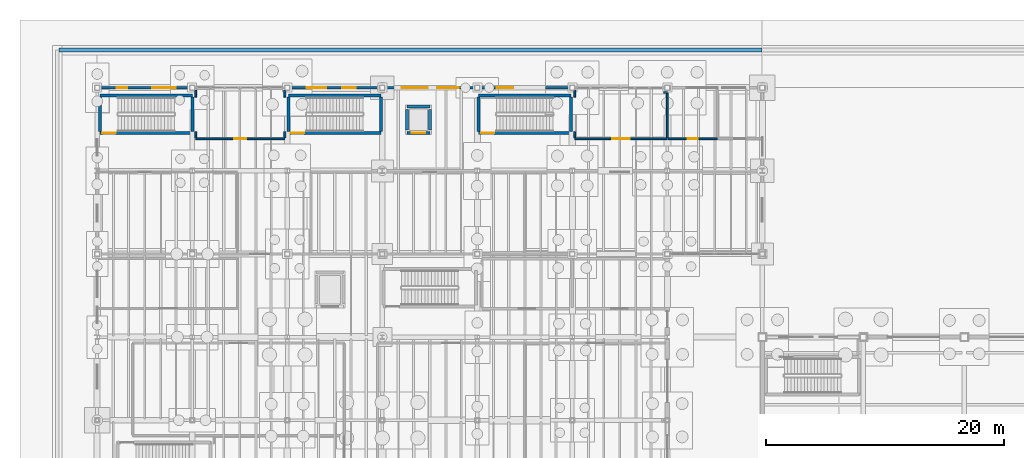
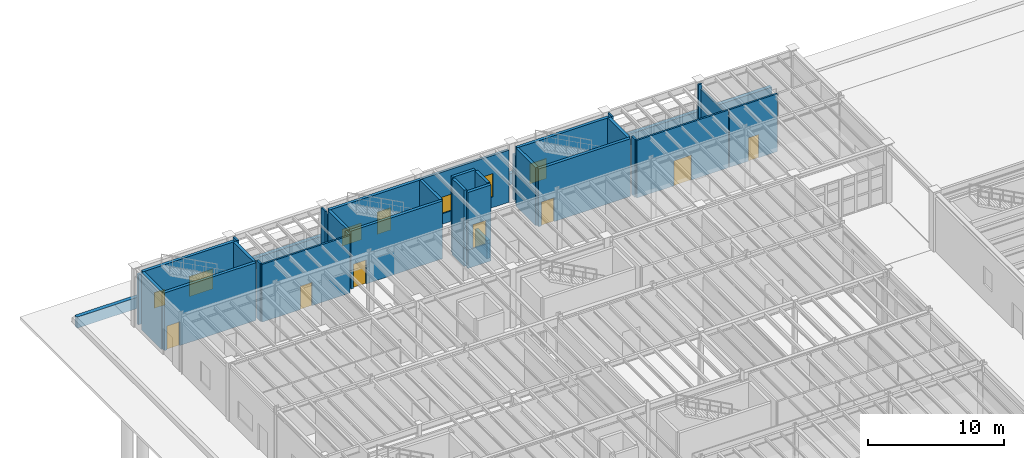
# One storey, part 65 of 86: 36 walls, 7 doors, 7 windows, 14 openings.
"""IFC4 building model written with IfcOpenShell, lengths in metres."""

from ifc_helpers import new_model, si_unit, direction, frame, frame_2d, origin, place, context, subcontext, project, spatial, rectangle, extrude, material, layer, layer_set, type_object, element, fill, save


model = new_model("IFC4")

# Units and contexts
model_context = context("Model", 3, precision=1e-05, world=origin(), true_north=direction((0.0, 1.0)))
body_context = subcontext(model_context, "Body", "Model", "MODEL_VIEW")
ifc_project = project(units=[si_unit("LENGTHUNIT", "METRE"), si_unit("AREAUNIT", "SQUARE_METRE"), si_unit("VOLUMEUNIT", "CUBIC_METRE"), si_unit("PLANEANGLEUNIT", "RADIAN"), si_unit("MASSUNIT", "GRAM", prefix="KILO"), si_unit("THERMODYNAMICTEMPERATUREUNIT", "KELVIN"), si_unit("POWERUNIT", "WATT")], contexts=[model_context])

# Site, building, storey
site_placement = place(None, origin())
site = spatial("IfcSite", under=ifc_project, at=site_placement, CompositionType="ELEMENT")
building_placement = place(site_placement, origin())
building = spatial("IfcBuilding", under=site, at=building_placement, Name="Zhenchuan Central Fire Station", CompositionType="ELEMENT")
storey_placement = place(building_placement, frame((0.0, 0.0, 0.449951171875)))
storey = spatial("IfcBuildingStorey", under=building, at=storey_placement, Name="L01", CompositionType="ELEMENT", Elevation=0.449951171875)

# Wall
ifc_material_1 = material(Name="Concrete C35/45", Category="concrete")
ifc_layer_1 = layer(ifc_material_1, 0.320068359375, Name="Concrete C35/45", Category="concrete")
ifc_layer_set_1 = layer_set([ifc_layer_1], Name="Concrete C35/45")
wall_type_1 = type_object("IfcWallType", Name="EW-PLN320", PredefinedType="SOLIDWALL", material=ifc_layer_set_1)
wall_1_placement = place(storey_placement, frame((-3.199951171875, 59.662109375, -1.0), z_axis=(0.0, 0.0, 1.0), x_axis=(1.0, 0.0, 0.0)))
element("IfcWall", 1, at=wall_1_placement, inside=storey, type_object=wall_type_1, Name="Plinth Perimeter Retaining Stem Wall NORTH-W", PredefinedType="SOLIDWALL", context=body_context, shape_type="SweptSolid", body=[
    extrude(rectangle(XDim=59.175048828125, YDim=0.320068359375, at=frame_2d((29.58740234375, 0.0))), origin(), (0.0, 0.0, 1.0), 1.0),
])

# Wall, openings, windows
ifc_material_2 = material(Name="Precast concrete C40/50", Category="concrete")
ifc_layer_2 = layer(ifc_material_2, 0.219970703125, Name="Precast concrete C40/50", Category="concrete")
ifc_layer_set_2 = layer_set([ifc_layer_2], Name="Precast concrete C40/50")
wall_type_2 = type_object("IfcWallType", Name="EW-PRC220", PredefinedType="SOLIDWALL", material=ifc_layer_set_2)
wall_2_placement = place(storey_placement, frame((0.22509765625, 56.5, 0.0), z_axis=(0.0, 0.0, 1.0), x_axis=(1.0, 0.0, 0.0)))
wall_2 = element("IfcWall", 2, at=wall_2_placement, inside=storey, type_object=wall_type_2, Name="EW-L01-V3N-0", PredefinedType="SOLIDWALL", context=body_context, shape_type="SweptSolid", body=[
    extrude(rectangle(XDim=7.5498046875, YDim=0.219970703125, at=frame_2d((3.77490234375, 0.0))), origin(), (0.0, 0.0, 1.0), 4.494140625),
])
opening_1_placement = place(wall_2_placement, frame((1.39990234375, 0.0, 0.949951171875)))
opening_1 = element("IfcOpeningElement", 3, at=opening_1_placement, cuts=wall_2, Name="Opening W-11", PredefinedType="OPENING", context=body_context, shape_type="SweptSolid", body=[
    extrude(rectangle(XDim=0.89990234375, YDim=1.39990234375, at=frame_2d((0.449951171875, 0.699951171875))), frame((0.0, 0.119873046875, 0.0), z_axis=(0.0, -1.0, 0.0), x_axis=(1.0, 0.0, 0.0)), (0.0, 0.0, 1.0), 0.239990234375),
])
opening_2_placement = place(wall_2_placement, frame((4.39990234375, 0.0, 0.949951171875)))
opening_2 = element("IfcOpeningElement", 4, at=opening_2_placement, cuts=wall_2, Name="Opening W-26", PredefinedType="OPENING", context=body_context, shape_type="SweptSolid", body=[
    extrude(rectangle(XDim=2.0, YDim=1.800048828125, at=frame_2d((1.0, 0.89990234375))), frame((0.0, 0.119873046875, 0.0), z_axis=(0.0, -1.0, 0.0), x_axis=(1.0, 0.0, 0.0)), (0.0, 0.0, 1.0), 0.239990234375),
])
ifc_material_3 = material(Name="Laminated low-E double glazing in aluminium frame", Category="aluminium")
window_type_1 = type_object("IfcWindowType", Name="WN-11", PartitioningType="SINGLE_PANEL", PredefinedType="WINDOW", material=ifc_material_3)
window_1_placement = place(opening_1_placement, origin())
window_1 = element("IfcWindow", 5, at=window_1_placement, inside=storey, type_object=window_type_1, Name="Exterior Window 0053", OverallHeight=1.39990234375, OverallWidth=0.89990234375, PartitioningType="SINGLE_PANEL", PredefinedType="WINDOW", context=body_context, shape_type="SweptSolid", body=[
    extrude(rectangle(XDim=0.89990234375, YDim=1.39990234375, at=frame_2d((0.449951171875, 0.699951171875))), frame((0.0, 0.030029296875, 0.0), z_axis=(0.0, -1.0, 0.0), x_axis=(1.0, 0.0, 0.0)), (0.0, 0.0, 1.0), 0.06005859375),
])
fill(opening_1, window_1)
window_type_2 = type_object("IfcWindowType", Name="WN-26", PartitioningType="SINGLE_PANEL", PredefinedType="WINDOW", material=ifc_material_3)
window_2_placement = place(opening_2_placement, origin())
window_2 = element("IfcWindow", 6, at=window_2_placement, inside=storey, type_object=window_type_2, Name="Exterior Window 0054", OverallHeight=1.800048828125, OverallWidth=2.0, PartitioningType="SINGLE_PANEL", PredefinedType="WINDOW", context=body_context, shape_type="SweptSolid", body=[
    extrude(rectangle(XDim=2.0, YDim=1.800048828125, at=frame_2d((1.0, 0.89990234375))), frame((0.0, 0.030029296875, 0.0), z_axis=(0.0, -1.0, 0.0), x_axis=(1.0, 0.0, 0.0)), (0.0, 0.0, 1.0), 0.06005859375),
])
fill(opening_2, window_2)

wall_3_placement = place(storey_placement, frame((16.22509765625, 56.5, 0.0), z_axis=(0.0, 0.0, 1.0), x_axis=(1.0, 0.0, 0.0)))
wall_3 = element("IfcWall", 7, at=wall_3_placement, inside=storey, type_object=wall_type_2, Name="EW-L01-V3N-2", PredefinedType="SOLIDWALL", context=body_context, shape_type="SweptSolid", body=[
    extrude(rectangle(XDim=7.5498046875, YDim=0.219970703125, at=frame_2d((3.77490234375, 0.0))), origin(), (0.0, 0.0, 1.0), 4.39404296875),
])
opening_3_placement = place(wall_3_placement, frame((1.39990234375, 0.0, 0.949951171875)))
opening_3 = element("IfcOpeningElement", 8, at=opening_3_placement, cuts=wall_3, Name="Opening W-17", PredefinedType="OPENING", context=body_context, shape_type="SweptSolid", body=[
    extrude(rectangle(XDim=1.64990234375, YDim=1.5, at=frame_2d((0.824951171875, 0.75))), frame((0.0, 0.119873046875, 0.0), z_axis=(0.0, -1.0, 0.0), x_axis=(1.0, 0.0, 0.0)), (0.0, 0.0, 1.0), 0.239990234375),
])
opening_4_placement = place(wall_3_placement, frame((4.39990234375, 0.0, 0.949951171875)))
opening_4 = element("IfcOpeningElement", 9, at=opening_4_placement, cuts=wall_3, Name="Opening W-32", PredefinedType="OPENING", context=body_context, shape_type="SweptSolid", body=[
    extrude(rectangle(XDim=1.14990234375, YDim=2.0, at=frame_2d((0.574951171875, 1.0))), frame((0.0, 0.119873046875, 0.0), z_axis=(0.0, -1.0, 0.0), x_axis=(1.0, 0.0, 0.0)), (0.0, 0.0, 1.0), 0.239990234375),
])
window_type_3 = type_object("IfcWindowType", Name="WN-17", PartitioningType="SINGLE_PANEL", PredefinedType="WINDOW", material=ifc_material_3)
window_3_placement = place(opening_3_placement, origin())
window_3 = element("IfcWindow", 10, at=window_3_placement, inside=storey, type_object=window_type_3, Name="Exterior Window 0055", OverallHeight=1.5, OverallWidth=1.64990234375, PartitioningType="SINGLE_PANEL", PredefinedType="WINDOW", context=body_context, shape_type="SweptSolid", body=[
    extrude(rectangle(XDim=1.64990234375, YDim=1.5, at=frame_2d((0.824951171875, 0.75))), frame((0.0, 0.030029296875, 0.0), z_axis=(0.0, -1.0, 0.0), x_axis=(1.0, 0.0, 0.0)), (0.0, 0.0, 1.0), 0.06005859375),
])
fill(opening_3, window_3)
window_type_4 = type_object("IfcWindowType", Name="WN-32", PartitioningType="SINGLE_PANEL", PredefinedType="WINDOW", material=ifc_material_3)
window_4_placement = place(opening_4_placement, origin())
window_4 = element("IfcWindow", 11, at=window_4_placement, inside=storey, type_object=window_type_4, Name="Exterior Window 0056", OverallHeight=2.0, OverallWidth=1.14990234375, PartitioningType="SINGLE_PANEL", PredefinedType="WINDOW", context=body_context, shape_type="SweptSolid", body=[
    extrude(rectangle(XDim=1.14990234375, YDim=2.0, at=frame_2d((0.574951171875, 1.0))), frame((0.0, 0.030029296875, 0.0), z_axis=(0.0, -1.0, 0.0), x_axis=(1.0, 0.0, 0.0)), (0.0, 0.0, 1.0), 0.06005859375),
])
fill(opening_4, window_4)

wall_4_placement = place(storey_placement, frame((24.22509765625, 56.5, 0.0), z_axis=(0.0, 0.0, 1.0), x_axis=(1.0, 0.0, 0.0)))
wall_4 = element("IfcWall", 12, at=wall_4_placement, inside=storey, type_object=wall_type_2, Name="EW-L01-V3N-3", PredefinedType="SOLIDWALL", context=body_context, shape_type="SweptSolid", body=[
    extrude(rectangle(XDim=7.5498046875, YDim=0.219970703125, at=frame_2d((3.77490234375, 0.0))), origin(), (0.0, 0.0, 1.0), 4.694091796875),
])
opening_5_placement = place(wall_4_placement, frame((1.39990234375, 0.0, 0.949951171875)))
opening_5 = element("IfcOpeningElement", 13, at=opening_5_placement, cuts=wall_4, Name="Opening W-20", PredefinedType="OPENING", context=body_context, shape_type="SweptSolid", body=[
    extrude(rectangle(XDim=2.199951171875, YDim=1.5, at=frame_2d((1.10009765625, 0.75))), frame((0.0, 0.119873046875, 0.0), z_axis=(0.0, -1.0, 0.0), x_axis=(1.0, 0.0, 0.0)), (0.0, 0.0, 1.0), 0.239990234375),
])
opening_6_placement = place(wall_4_placement, frame((4.39990234375, 0.0, 0.949951171875)))
opening_6 = element("IfcOpeningElement", 14, at=opening_6_placement, cuts=wall_4, Name="Opening W-35", PredefinedType="OPENING", context=body_context, shape_type="SweptSolid", body=[
    extrude(rectangle(XDim=1.800048828125, YDim=2.10009765625, at=frame_2d((0.89990234375, 1.050048828125))), frame((0.0, 0.119873046875, 0.0), z_axis=(0.0, -1.0, 0.0), x_axis=(1.0, 0.0, 0.0)), (0.0, 0.0, 1.0), 0.239990234375),
])
window_type_5 = type_object("IfcWindowType", Name="WN-20", PartitioningType="SINGLE_PANEL", PredefinedType="WINDOW", material=ifc_material_3)
window_5_placement = place(opening_5_placement, origin())
window_5 = element("IfcWindow", 15, at=window_5_placement, inside=storey, type_object=window_type_5, Name="Exterior Window 0057", OverallHeight=1.5, OverallWidth=2.199951171875, PartitioningType="SINGLE_PANEL", PredefinedType="WINDOW", context=body_context, shape_type="SweptSolid", body=[
    extrude(rectangle(XDim=2.199951171875, YDim=1.5, at=frame_2d((1.10009765625, 0.75))), frame((0.0, 0.030029296875, 0.0), z_axis=(0.0, -1.0, 0.0), x_axis=(1.0, 0.0, 0.0)), (0.0, 0.0, 1.0), 0.06005859375),
])
fill(opening_5, window_5)
window_type_6 = type_object("IfcWindowType", Name="WN-35", PartitioningType="SINGLE_PANEL", PredefinedType="WINDOW", material=ifc_material_3)
window_6_placement = place(opening_6_placement, origin())
window_6 = element("IfcWindow", 16, at=window_6_placement, inside=storey, type_object=window_type_6, Name="Exterior Window 0058", OverallHeight=2.10009765625, OverallWidth=1.800048828125, PartitioningType="SINGLE_PANEL", PredefinedType="WINDOW", context=body_context, shape_type="SweptSolid", body=[
    extrude(rectangle(XDim=1.800048828125, YDim=2.10009765625, at=frame_2d((0.89990234375, 1.050048828125))), frame((0.0, 0.030029296875, 0.0), z_axis=(0.0, -1.0, 0.0), x_axis=(1.0, 0.0, 0.0)), (0.0, 0.0, 1.0), 0.06005859375),
])
fill(opening_6, window_6)

# Wall, opening, window
wall_5_placement = place(storey_placement, frame((32.22509765625, 56.5, 0.0), z_axis=(0.0, 0.0, 1.0), x_axis=(1.0, 0.0, 0.0)))
wall_5 = element("IfcWall", 17, at=wall_5_placement, inside=storey, type_object=wall_type_2, Name="EW-L01-V3N-4", PredefinedType="SOLIDWALL", context=body_context, shape_type="SweptSolid", body=[
    extrude(rectangle(XDim=7.5498046875, YDim=0.219970703125, at=frame_2d((3.77490234375, 0.0))), origin(), (0.0, 0.0, 1.0), 4.093994140625),
])
opening_7_placement = place(wall_5_placement, frame((1.39990234375, 0.0, 0.949951171875)))
opening_7 = element("IfcOpeningElement", 18, at=opening_7_placement, cuts=wall_5, Name="Opening W-23", PredefinedType="OPENING", context=body_context, shape_type="SweptSolid", body=[
    extrude(rectangle(XDim=1.39990234375, YDim=1.800048828125, at=frame_2d((0.699951171875, 0.89990234375))), frame((0.0, 0.119873046875, 0.0), z_axis=(0.0, -1.0, 0.0), x_axis=(1.0, 0.0, 0.0)), (0.0, 0.0, 1.0), 0.239990234375),
])
window_type_7 = type_object("IfcWindowType", Name="WN-23", PartitioningType="SINGLE_PANEL", PredefinedType="WINDOW", material=ifc_material_3)
window_7_placement = place(opening_7_placement, origin())
window_7 = element("IfcWindow", 19, at=window_7_placement, inside=storey, type_object=window_type_7, Name="Exterior Window 0059", OverallHeight=1.800048828125, OverallWidth=1.39990234375, PartitioningType="SINGLE_PANEL", PredefinedType="WINDOW", context=body_context, shape_type="SweptSolid", body=[
    extrude(rectangle(XDim=1.39990234375, YDim=1.800048828125, at=frame_2d((0.699951171875, 0.89990234375))), frame((0.0, 0.030029296875, 0.0), z_axis=(0.0, -1.0, 0.0), x_axis=(1.0, 0.0, 0.0)), (0.0, 0.0, 1.0), 0.06005859375),
])
fill(opening_7, window_7)

# Wall, opening, door
ifc_material_4 = material(Name="Autoclaved aerated concrete blockwork", Category="masonry")
ifc_layer_3 = layer(ifc_material_4, 0.14990234375, Name="Autoclaved aerated concrete blockwork", Category="masonry")
ifc_layer_set_3 = layer_set([ifc_layer_3], Name="Autoclaved aerated concrete blockwork")
wall_type_3 = type_object("IfcWallType", Name="IW-BLK150", PredefinedType="PARTITIONING", material=ifc_layer_set_3)
wall_6_placement = place(storey_placement, frame((8.300048828125, 52.199951171875, 0.0), z_axis=(0.0, 0.0, 1.0), x_axis=(1.0, 0.0, 0.0)))
wall_6 = element("IfcWall", 20, at=wall_6_placement, inside=storey, type_object=wall_type_3, Name="Station Commercial Kitchen S Partition", PredefinedType="PARTITIONING", context=body_context, shape_type="SweptSolid", body=[
    extrude(rectangle(XDim=7.5, YDim=0.14990234375, at=frame_2d((3.75, 0.0))), origin(), (0.0, 0.0, 1.0), 5.199951171875),
])
opening_8_placement = place(wall_6_placement, frame((3.25, 0.0, 0.0)))
opening_8 = element("IfcOpeningElement", 21, at=opening_8_placement, cuts=wall_6, Name="Opening D-083", PredefinedType="OPENING", context=body_context, shape_type="SweptSolid", body=[
    extrude(rectangle(XDim=1.0, YDim=2.10009765625, at=frame_2d((0.5, 1.050048828125))), frame((0.0, 0.0849609375, 0.0), z_axis=(0.0, -1.0, 0.0), x_axis=(1.0, 0.0, 0.0)), (0.0, 0.0, 1.0), 0.169921875),
])
ifc_material_5 = material(Name="Solid-core timber office door", Category="wood")
door_type_1 = type_object("IfcDoorType", Name="ID-OFF-100x210", OperationType="NOTDEFINED", PredefinedType="DOOR", material=ifc_material_5)
door_1_placement = place(opening_8_placement, origin())
door_1 = element("IfcDoor", 22, at=door_1_placement, inside=storey, type_object=door_type_1, Name="Station Commercial Kitchen Door", OperationType="SINGLE_SWING_LEFT", OverallHeight=2.10009765625, OverallWidth=1.0, PredefinedType="DOOR", context=body_context, shape_type="SweptSolid", body=[
    extrude(rectangle(XDim=1.0, YDim=2.10009765625, at=frame_2d((0.5, 1.050048828125))), frame((0.0, 0.02490234375, 0.0), z_axis=(0.0, -1.0, 0.0), x_axis=(1.0, 0.0, 0.0)), (0.0, 0.0, 1.0), 0.050048828125),
])
fill(opening_8, door_1)

# Walls
wall_7_placement = place(storey_placement, frame((8.300048828125, 52.278076171875, 0.0), z_axis=(0.0, 0.0, 1.0), x_axis=(0.0, 1.0, 0.0)))
element("IfcWall", 23, at=wall_7_placement, inside=storey, type_object=wall_type_3, Name="Station Commercial Kitchen W Partition 1", PredefinedType="PARTITIONING", context=body_context, shape_type="SweptSolid", body=[
    extrude(rectangle(XDim=0.51904296875, YDim=0.14990234375, at=frame_2d((0.259521484375, 0.0))), origin(), (0.0, 0.0, 1.0), 5.199951171875),
])
wall_8_placement = place(storey_placement, frame((8.300048828125, 55.702880859375, 0.0), z_axis=(0.0, 0.0, 1.0), x_axis=(0.0, 1.0, 0.0)))
element("IfcWall", 24, at=wall_8_placement, inside=storey, type_object=wall_type_3, Name="Station Commercial Kitchen W Partition 2", PredefinedType="PARTITIONING", context=body_context, shape_type="SweptSolid", body=[
    extrude(rectangle(XDim=0.569091796875, YDim=0.14990234375, at=frame_2d((0.28466796875, 0.0))), origin(), (0.0, 0.0, 1.0), 5.199951171875),
])
wall_9_placement = place(storey_placement, frame((15.800048828125, 52.278076171875, 0.0), z_axis=(0.0, 0.0, 1.0), x_axis=(0.0, 1.0, 0.0)))
element("IfcWall", 25, at=wall_9_placement, inside=storey, type_object=wall_type_3, Name="Station Commercial Kitchen E Partition 1", PredefinedType="PARTITIONING", context=body_context, shape_type="SweptSolid", body=[
    extrude(rectangle(XDim=0.51904296875, YDim=0.14990234375, at=frame_2d((0.259521484375, 0.0))), origin(), (0.0, 0.0, 1.0), 5.199951171875),
])
wall_10_placement = place(storey_placement, frame((15.800048828125, 55.702880859375, 0.0), z_axis=(0.0, 0.0, 1.0), x_axis=(0.0, 1.0, 0.0)))
element("IfcWall", 26, at=wall_10_placement, inside=storey, type_object=wall_type_3, Name="Station Commercial Kitchen E Partition 2", PredefinedType="PARTITIONING", context=body_context, shape_type="SweptSolid", body=[
    extrude(rectangle(XDim=0.569091796875, YDim=0.14990234375, at=frame_2d((0.28466796875, 0.0))), origin(), (0.0, 0.0, 1.0), 5.199951171875),
])

# Wall, opening, door
wall_11_placement = place(storey_placement, frame((40.199951171875, 52.199951171875, 0.0), z_axis=(0.0, 0.0, 1.0), x_axis=(1.0, 0.0, 0.0)))
wall_11 = element("IfcWall", 27, at=wall_11_placement, inside=storey, type_object=wall_type_3, Name="Breathing-Apparatus Charging Room S Partition", PredefinedType="PARTITIONING", context=body_context, shape_type="SweptSolid", body=[
    extrude(rectangle(XDim=7.800048828125, YDim=0.14990234375, at=frame_2d((3.89990234375, 0.0))), origin(), (0.0, 0.0, 1.0), 5.199951171875),
])
opening_9_placement = place(wall_11_placement, frame((3.14990234375, 0.0, 0.0)))
opening_9 = element("IfcOpeningElement", 28, at=opening_9_placement, cuts=wall_11, Name="Opening D-084", PredefinedType="OPENING", context=body_context, shape_type="SweptSolid", body=[
    extrude(rectangle(XDim=1.5, YDim=2.25, at=frame_2d((0.75, 1.125))), frame((0.0, 0.0849609375, 0.0), z_axis=(0.0, -1.0, 0.0), x_axis=(1.0, 0.0, 0.0)), (0.0, 0.0, 1.0), 0.169921875),
])
ifc_material_6 = material(Name="Powder-coated steel workshop door", Category="steel")
door_type_2 = type_object("IfcDoorType", Name="ID-WKS-150x225", OperationType="NOTDEFINED", PredefinedType="DOOR", material=ifc_material_6)
door_2_placement = place(opening_9_placement, origin())
door_2 = element("IfcDoor", 29, at=door_2_placement, inside=storey, type_object=door_type_2, Name="Breathing-Apparatus Charging Room Door", OperationType="SINGLE_SWING_RIGHT", OverallHeight=2.25, OverallWidth=1.5, PredefinedType="DOOR", context=body_context, shape_type="SweptSolid", body=[
    extrude(rectangle(XDim=1.5, YDim=2.25, at=frame_2d((0.75, 1.125))), frame((0.0, 0.02490234375, 0.0), z_axis=(0.0, -1.0, 0.0), x_axis=(1.0, 0.0, 0.0)), (0.0, 0.0, 1.0), 0.050048828125),
])
fill(opening_9, door_2)

# Walls
wall_12_placement = place(storey_placement, frame((47.702880859375, 56.10009765625, 0.0), z_axis=(0.0, 0.0, 1.0), x_axis=(1.0, 0.0, 0.0)))
element("IfcWall", 30, at=wall_12_placement, inside=storey, type_object=wall_type_3, Name="Breathing-Apparatus Charging Room N Partition", PredefinedType="PARTITIONING", context=body_context, shape_type="SweptSolid", body=[
    extrude(rectangle(XDim=0.297119140625, YDim=0.14990234375, at=frame_2d((0.1484375, 0.0))), origin(), (0.0, 0.0, 1.0), 5.199951171875),
])
wall_13_placement = place(storey_placement, frame((40.199951171875, 52.278076171875, 0.0), z_axis=(0.0, 0.0, 1.0), x_axis=(0.0, 1.0, 0.0)))
element("IfcWall", 31, at=wall_13_placement, inside=storey, type_object=wall_type_3, Name="Breathing-Apparatus Charging Room W Partition 1", PredefinedType="PARTITIONING", context=body_context, shape_type="SweptSolid", body=[
    extrude(rectangle(XDim=0.51904296875, YDim=0.14990234375, at=frame_2d((0.259521484375, 0.0))), origin(), (0.0, 0.0, 1.0), 5.199951171875),
])
wall_14_placement = place(storey_placement, frame((40.199951171875, 55.702880859375, 0.0), z_axis=(0.0, 0.0, 1.0), x_axis=(0.0, 1.0, 0.0)))
element("IfcWall", 32, at=wall_14_placement, inside=storey, type_object=wall_type_3, Name="Breathing-Apparatus Charging Room W Partition 2", PredefinedType="PARTITIONING", context=body_context, shape_type="SweptSolid", body=[
    extrude(rectangle(XDim=0.569091796875, YDim=0.14990234375, at=frame_2d((0.28466796875, 0.0))), origin(), (0.0, 0.0, 1.0), 5.199951171875),
])
wall_15_placement = place(storey_placement, frame((48.0, 52.278076171875, 0.0), z_axis=(0.0, 0.0, 1.0), x_axis=(0.0, 1.0, 0.0)))
element("IfcWall", 33, at=wall_15_placement, inside=storey, type_object=wall_type_3, Name="Breathing-Apparatus Charging Room E Partition", PredefinedType="PARTITIONING", context=body_context, shape_type="SweptSolid", body=[
    extrude(rectangle(XDim=3.743896484375, YDim=0.14990234375, at=frame_2d((1.8720703125, 0.0))), origin(), (0.0, 0.0, 1.0), 4.744140625),
])

# Wall, opening, door
wall_16_placement = place(storey_placement, frame((48.077880859375, 52.199951171875, 0.0), z_axis=(0.0, 0.0, 1.0), x_axis=(1.0, 0.0, 0.0)))
wall_16 = element("IfcWall", 34, at=wall_16_placement, inside=storey, type_object=wall_type_3, Name="Decontamination Shower Room S Partition", PredefinedType="PARTITIONING", context=body_context, shape_type="SweptSolid", body=[
    extrude(rectangle(XDim=4.1220703125, YDim=0.14990234375, at=frame_2d((2.06103515625, 0.0))), origin(), (0.0, 0.0, 1.0), 5.199951171875),
])
opening_10_placement = place(wall_16_placement, frame((1.62109375, 0.0, 0.0)))
opening_10 = element("IfcOpeningElement", 35, at=opening_10_placement, cuts=wall_16, Name="Opening D-085", PredefinedType="OPENING", context=body_context, shape_type="SweptSolid", body=[
    extrude(rectangle(XDim=0.8798828125, YDim=2.10009765625, at=frame_2d((0.43994140625, 1.050048828125))), frame((0.0, 0.0849609375, 0.0), z_axis=(0.0, -1.0, 0.0), x_axis=(1.0, 0.0, 0.0)), (0.0, 0.0, 1.0), 0.169921875),
])
ifc_material_7 = material(Name="Moisture-resistant washroom door")
door_type_3 = type_object("IfcDoorType", Name="ID-WC-088x210", OperationType="NOTDEFINED", PredefinedType="DOOR", material=ifc_material_7)
door_3_placement = place(opening_10_placement, origin())
door_3 = element("IfcDoor", 36, at=door_3_placement, inside=storey, type_object=door_type_3, Name="Decontamination Shower Room Door", OperationType="SINGLE_SWING_LEFT", OverallHeight=2.10009765625, OverallWidth=0.8798828125, PredefinedType="DOOR", context=body_context, shape_type="SweptSolid", body=[
    extrude(rectangle(XDim=0.8798828125, YDim=2.10009765625, at=frame_2d((0.43994140625, 1.050048828125))), frame((0.0, 0.02490234375, 0.0), z_axis=(0.0, -1.0, 0.0), x_axis=(1.0, 0.0, 0.0)), (0.0, 0.0, 1.0), 0.050048828125),
])
fill(opening_10, door_3)

ifc_material_8 = material(Name="Concrete C40/50", Category="concrete")
ifc_layer_4 = layer(ifc_material_8, 0.25, Name="Concrete C40/50", Category="concrete")
ifc_layer_set_4 = layer_set([ifc_layer_4], Name="Concrete C40/50")
wall_type_4 = type_object("IfcWallType", Name="IW-SHR250", PredefinedType="SHEAR", material=ifc_layer_set_4)
wall_17_placement = place(storey_placement, frame((0.22509765625, 52.675048828125, 0.0), z_axis=(0.0, 0.0, 1.0), x_axis=(1.0, 0.0, 0.0)))
wall_17 = element("IfcWall", 37, at=wall_17_placement, inside=storey, type_object=wall_type_4, Name="ST-05 L01 South Core Wall", PredefinedType="SHEAR", context=body_context, shape_type="SweptSolid", body=[
    extrude(rectangle(XDim=7.809814453125, YDim=0.25, at=frame_2d((3.90478515625, 0.0))), origin(), (0.0, 0.0, 1.0), 5.199951171875),
])
opening_11_placement = place(wall_17_placement, frame((0.219970703125, 0.0, 0.0)))
opening_11 = element("IfcOpeningElement", 38, at=opening_11_placement, cuts=wall_17, Name="Opening D-009", PredefinedType="OPENING", context=body_context, shape_type="SweptSolid", body=[
    extrude(rectangle(XDim=1.10009765625, YDim=2.14990234375, at=frame_2d((0.550048828125, 1.074951171875))), frame((0.0, 0.135009765625, 0.0), z_axis=(0.0, -1.0, 0.0), x_axis=(1.0, 0.0, 0.0)), (0.0, 0.0, 1.0), 0.27001953125),
])
ifc_material_9 = material(Name="Painted steel acoustic fire door", Category="steel")
door_type_4 = type_object("IfcDoorType", Name="ID-ST-110x215", OperationType="NOTDEFINED", PredefinedType="DOOR", material=ifc_material_9)
door_4_placement = place(opening_11_placement, frame((1.10009765625, 0.0, 0.0), z_axis=(0.0, 0.0, 1.0), x_axis=(-1.0, 0.0, 0.0)))
door_4 = element("IfcDoor", 39, at=door_4_placement, inside=storey, type_object=door_type_4, Name="ST-05 L01 Fire Door", OperationType="SINGLE_SWING_LEFT", OverallHeight=2.14990234375, OverallWidth=1.10009765625, PredefinedType="DOOR", context=body_context, shape_type="SweptSolid", body=[
    extrude(rectangle(XDim=1.10009765625, YDim=2.14990234375, at=frame_2d((0.550048828125, 1.074951171875))), frame((0.0, 0.02490234375, 0.0), z_axis=(0.0, -1.0, 0.0), x_axis=(1.0, 0.0, 0.0)), (0.0, 0.0, 1.0), 0.050048828125),
])
fill(opening_11, door_4)

# Walls
wall_18_placement = place(storey_placement, frame((0.22509765625, 55.824951171875, 0.0), z_axis=(0.0, 0.0, 1.0), x_axis=(1.0, 0.0, 0.0)))
element("IfcWall", 40, at=wall_18_placement, inside=storey, type_object=wall_type_4, Name="ST-05 L01 North Core Wall", PredefinedType="SHEAR", context=body_context, shape_type="SweptSolid", body=[
    extrude(rectangle(XDim=7.809814453125, YDim=0.25, at=frame_2d((3.90478515625, 0.0))), origin(), (0.0, 0.0, 1.0), 5.199951171875),
])
for number, where, z_axis, x_axis, name in (
    (41, (0.22509765625, 52.800048828125, 0.0), (0.0, 0.0, 1.0), (0.0, 1.0, 0.0), "ST-05 L01 West Core Wall"),
    (42, (8.034912109375, 52.800048828125, 0.0), (0.0, 0.0, 1.0), (0.0, 1.0, 0.0), "ST-05 L01 East Core Wall"),
):
    element("IfcWall", number, at=place(storey_placement, frame(where, z_axis=z_axis, x_axis=x_axis)), inside=storey, type_object=wall_type_4, Name=name, PredefinedType="SHEAR", context=body_context, shape_type="SweptSolid", body=[
        extrude(rectangle(XDim=2.89990234375, YDim=0.25, at=frame_2d((1.449951171875, 0.0))), origin(), (0.0, 0.0, 1.0), 5.199951171875),
    ])

# Wall, opening, door
wall_19_placement = place(storey_placement, frame((16.094970703125, 52.675048828125, 0.0), z_axis=(0.0, 0.0, 1.0), x_axis=(1.0, 0.0, 0.0)))
wall_19 = element("IfcWall", 43, at=wall_19_placement, inside=storey, type_object=wall_type_4, Name="ST-06 L01 South Core Wall", PredefinedType="SHEAR", context=body_context, shape_type="SweptSolid", body=[
    extrude(rectangle(XDim=7.81005859375, YDim=0.25, at=frame_2d((3.905029296875, 0.0))), origin(), (0.0, 0.0, 1.0), 5.199951171875),
])
opening_12_placement = place(wall_19_placement, frame((0.219970703125, 0.0, 0.0)))
opening_12 = element("IfcOpeningElement", 44, at=opening_12_placement, cuts=wall_19, Name="Opening D-012", PredefinedType="OPENING", context=body_context, shape_type="SweptSolid", body=[
    extrude(rectangle(XDim=1.10009765625, YDim=2.14990234375, at=frame_2d((0.550048828125, 1.074951171875))), frame((0.0, 0.135009765625, 0.0), z_axis=(0.0, -1.0, 0.0), x_axis=(1.0, 0.0, 0.0)), (0.0, 0.0, 1.0), 0.27001953125),
])
door_5_placement = place(opening_12_placement, frame((1.10009765625, 0.0, 0.0), z_axis=(0.0, 0.0, 1.0), x_axis=(-1.0, 0.0, 0.0)))
door_5 = element("IfcDoor", 45, at=door_5_placement, inside=storey, type_object=door_type_4, Name="ST-06 L01 Fire Door", OperationType="SINGLE_SWING_RIGHT", OverallHeight=2.14990234375, OverallWidth=1.10009765625, PredefinedType="DOOR", context=body_context, shape_type="SweptSolid", body=[
    extrude(rectangle(XDim=1.10009765625, YDim=2.14990234375, at=frame_2d((0.550048828125, 1.074951171875))), frame((0.0, 0.02490234375, 0.0), z_axis=(0.0, -1.0, 0.0), x_axis=(1.0, 0.0, 0.0)), (0.0, 0.0, 1.0), 0.050048828125),
])
fill(opening_12, door_5)

# Walls
wall_20_placement = place(storey_placement, frame((16.094970703125, 55.824951171875, 0.0), z_axis=(0.0, 0.0, 1.0), x_axis=(1.0, 0.0, 0.0)))
element("IfcWall", 46, at=wall_20_placement, inside=storey, type_object=wall_type_4, Name="ST-06 L01 North Core Wall", PredefinedType="SHEAR", context=body_context, shape_type="SweptSolid", body=[
    extrude(rectangle(XDim=7.81005859375, YDim=0.25, at=frame_2d((3.905029296875, 0.0))), origin(), (0.0, 0.0, 1.0), 5.199951171875),
])
for number, where, z_axis, x_axis, name in (
    (47, (16.094970703125, 52.800048828125, 0.0), (0.0, 0.0, 1.0), (0.0, 1.0, 0.0), "ST-06 L01 West Core Wall"),
    (48, (23.905029296875, 52.800048828125, 0.0), (0.0, 0.0, 1.0), (0.0, 1.0, 0.0), "ST-06 L01 East Core Wall"),
):
    element("IfcWall", number, at=place(storey_placement, frame(where, z_axis=z_axis, x_axis=x_axis)), inside=storey, type_object=wall_type_4, Name=name, PredefinedType="SHEAR", context=body_context, shape_type="SweptSolid", body=[
        extrude(rectangle(XDim=2.89990234375, YDim=0.25, at=frame_2d((1.449951171875, 0.0))), origin(), (0.0, 0.0, 1.0), 5.199951171875),
    ])

# Wall, opening, door
wall_21_placement = place(storey_placement, frame((32.094970703125, 52.675048828125, 0.0), z_axis=(0.0, 0.0, 1.0), x_axis=(1.0, 0.0, 0.0)))
wall_21 = element("IfcWall", 49, at=wall_21_placement, inside=storey, type_object=wall_type_4, Name="ST-07 L01 South Core Wall", PredefinedType="SHEAR", context=body_context, shape_type="SweptSolid", body=[
    extrude(rectangle(XDim=7.81005859375, YDim=0.25, at=frame_2d((3.905029296875, 0.0))), origin(), (0.0, 0.0, 1.0), 5.199951171875),
])
opening_13_placement = place(wall_21_placement, frame((0.219970703125, 0.0, 0.0)))
opening_13 = element("IfcOpeningElement", 50, at=opening_13_placement, cuts=wall_21, Name="Opening D-015", PredefinedType="OPENING", context=body_context, shape_type="SweptSolid", body=[
    extrude(rectangle(XDim=1.10009765625, YDim=2.14990234375, at=frame_2d((0.550048828125, 1.074951171875))), frame((0.0, 0.135009765625, 0.0), z_axis=(0.0, -1.0, 0.0), x_axis=(1.0, 0.0, 0.0)), (0.0, 0.0, 1.0), 0.27001953125),
])
door_6_placement = place(opening_13_placement, frame((1.10009765625, 0.0, 0.0), z_axis=(0.0, 0.0, 1.0), x_axis=(-1.0, 0.0, 0.0)))
door_6 = element("IfcDoor", 51, at=door_6_placement, inside=storey, type_object=door_type_4, Name="ST-07 L01 Fire Door", OperationType="SINGLE_SWING_LEFT", OverallHeight=2.14990234375, OverallWidth=1.10009765625, PredefinedType="DOOR", context=body_context, shape_type="SweptSolid", body=[
    extrude(rectangle(XDim=1.10009765625, YDim=2.14990234375, at=frame_2d((0.550048828125, 1.074951171875))), frame((0.0, 0.02490234375, 0.0), z_axis=(0.0, -1.0, 0.0), x_axis=(1.0, 0.0, 0.0)), (0.0, 0.0, 1.0), 0.050048828125),
])
fill(opening_13, door_6)

# Walls
wall_22_placement = place(storey_placement, frame((32.094970703125, 55.824951171875, 0.0), z_axis=(0.0, 0.0, 1.0), x_axis=(1.0, 0.0, 0.0)))
element("IfcWall", 52, at=wall_22_placement, inside=storey, type_object=wall_type_4, Name="ST-07 L01 North Core Wall", PredefinedType="SHEAR", context=body_context, shape_type="SweptSolid", body=[
    extrude(rectangle(XDim=7.81005859375, YDim=0.25, at=frame_2d((3.905029296875, 0.0))), origin(), (0.0, 0.0, 1.0), 5.199951171875),
])
for number, where, z_axis, x_axis, name in (
    (53, (32.094970703125, 52.800048828125, 0.0), (0.0, 0.0, 1.0), (0.0, 1.0, 0.0), "ST-07 L01 West Core Wall"),
    (54, (39.905029296875, 52.800048828125, 0.0), (0.0, 0.0, 1.0), (0.0, 1.0, 0.0), "ST-07 L01 East Core Wall"),
):
    element("IfcWall", number, at=place(storey_placement, frame(where, z_axis=z_axis, x_axis=x_axis)), inside=storey, type_object=wall_type_4, Name=name, PredefinedType="SHEAR", context=body_context, shape_type="SweptSolid", body=[
        extrude(rectangle(XDim=2.89990234375, YDim=0.25, at=frame_2d((1.449951171875, 0.0))), origin(), (0.0, 0.0, 1.0), 5.199951171875),
    ])
for number, where, z_axis, x_axis, name in (
    (55, (26.074951171875, 52.675048828125, -1.64990234375), (0.0, 0.0, 1.0), (1.0, 0.0, 0.0), "Lift LP-03 Pit South Wall"),
    (56, (26.074951171875, 54.925048828125, -1.64990234375), (0.0, 0.0, 1.0), (1.0, 0.0, 0.0), "Lift LP-03 Pit North Wall"),
):
    element("IfcWall", number, at=place(storey_placement, frame(where, z_axis=z_axis, x_axis=x_axis)), inside=storey, type_object=wall_type_4, Name=name, PredefinedType="SHEAR", context=body_context, shape_type="SweptSolid", body=[
        extrude(rectangle(XDim=1.949951171875, YDim=0.25, at=frame_2d((0.97509765625, 0.0))), origin(), (0.0, 0.0, 1.0), 1.64990234375),
    ])
for number, where, z_axis, x_axis, name in (
    (57, (26.074951171875, 52.925048828125, -1.64990234375), (0.0, 0.0, 1.0), (0.0, 1.0, 0.0), "Lift LP-03 Pit West Wall"),
    (58, (28.02490234375, 52.925048828125, -1.64990234375), (0.0, 0.0, 1.0), (0.0, 1.0, 0.0), "Lift LP-03 Pit East Wall"),
):
    element("IfcWall", number, at=place(storey_placement, frame(where, z_axis=z_axis, x_axis=x_axis)), inside=storey, type_object=wall_type_4, Name=name, PredefinedType="SHEAR", context=body_context, shape_type="SweptSolid", body=[
        extrude(rectangle(XDim=1.75, YDim=0.25, at=frame_2d((0.875, 0.0))), origin(), (0.0, 0.0, 1.0), 1.64990234375),
    ])

# Wall, opening, door
wall_23_placement = place(storey_placement, frame((26.074951171875, 52.675048828125, 0.0), z_axis=(0.0, 0.0, 1.0), x_axis=(1.0, 0.0, 0.0)))
wall_23 = element("IfcWall", 59, at=wall_23_placement, inside=storey, type_object=wall_type_4, Name="Lift LP-03 L01 South Shaft Wall", PredefinedType="SHEAR", context=body_context, shape_type="SweptSolid", body=[
    extrude(rectangle(XDim=1.949951171875, YDim=0.25, at=frame_2d((0.97509765625, 0.0))), origin(), (0.0, 0.0, 1.0), 5.199951171875),
])
opening_14_placement = place(wall_23_placement, frame((0.425048828125, 0.0, 0.0)))
opening_14 = element("IfcOpeningElement", 60, at=opening_14_placement, cuts=wall_23, Name="Opening LD-015", PredefinedType="OPENING", context=body_context, shape_type="SweptSolid", body=[
    extrude(rectangle(XDim=1.10009765625, YDim=2.14990234375, at=frame_2d((0.550048828125, 1.074951171875))), frame((0.0, 0.135009765625, 0.0), z_axis=(0.0, -1.0, 0.0), x_axis=(1.0, 0.0, 0.0)), (0.0, 0.0, 1.0), 0.27001953125),
])
ifc_material_10 = material(Name="Brushed stainless steel sliding landing door", Category="steel")
door_type_5 = type_object("IfcDoorType", Name="ID-LD-110x215", OperationType="NOTDEFINED", PredefinedType="DOOR", material=ifc_material_10)
door_7_placement = place(opening_14_placement, origin())
door_7 = element("IfcDoor", 61, at=door_7_placement, inside=storey, type_object=door_type_5, Name="Lift LP-03 L01 Sliding Landing Door", OperationType="DOUBLE_DOOR_SLIDING", OverallHeight=2.14990234375, OverallWidth=1.10009765625, PredefinedType="DOOR", context=body_context, shape_type="SweptSolid", body=[
    extrude(rectangle(XDim=1.10009765625, YDim=2.14990234375, at=frame_2d((0.550048828125, 1.074951171875))), frame((0.0, 0.02490234375, 0.0), z_axis=(0.0, -1.0, 0.0), x_axis=(1.0, 0.0, 0.0)), (0.0, 0.0, 1.0), 0.050048828125),
])
fill(opening_14, door_7)

# Walls
wall_24_placement = place(storey_placement, frame((26.074951171875, 54.925048828125, 0.0), z_axis=(0.0, 0.0, 1.0), x_axis=(1.0, 0.0, 0.0)))
element("IfcWall", 62, at=wall_24_placement, inside=storey, type_object=wall_type_4, Name="Lift LP-03 L01 North Shaft Wall", PredefinedType="SHEAR", context=body_context, shape_type="SweptSolid", body=[
    extrude(rectangle(XDim=1.949951171875, YDim=0.25, at=frame_2d((0.97509765625, 0.0))), origin(), (0.0, 0.0, 1.0), 5.199951171875),
])
for number, where, z_axis, x_axis, name in (
    (63, (26.074951171875, 52.925048828125, 0.0), (0.0, 0.0, 1.0), (0.0, 1.0, 0.0), "Lift LP-03 L01 West Shaft Wall"),
    (64, (28.02490234375, 52.925048828125, 0.0), (0.0, 0.0, 1.0), (0.0, 1.0, 0.0), "Lift LP-03 L01 East Shaft Wall"),
):
    element("IfcWall", number, at=place(storey_placement, frame(where, z_axis=z_axis, x_axis=x_axis)), inside=storey, type_object=wall_type_4, Name=name, PredefinedType="SHEAR", context=body_context, shape_type="SweptSolid", body=[
        extrude(rectangle(XDim=1.75, YDim=0.25, at=frame_2d((0.875, 0.0))), origin(), (0.0, 0.0, 1.0), 5.199951171875),
    ])

save(model, "model.ifc")
